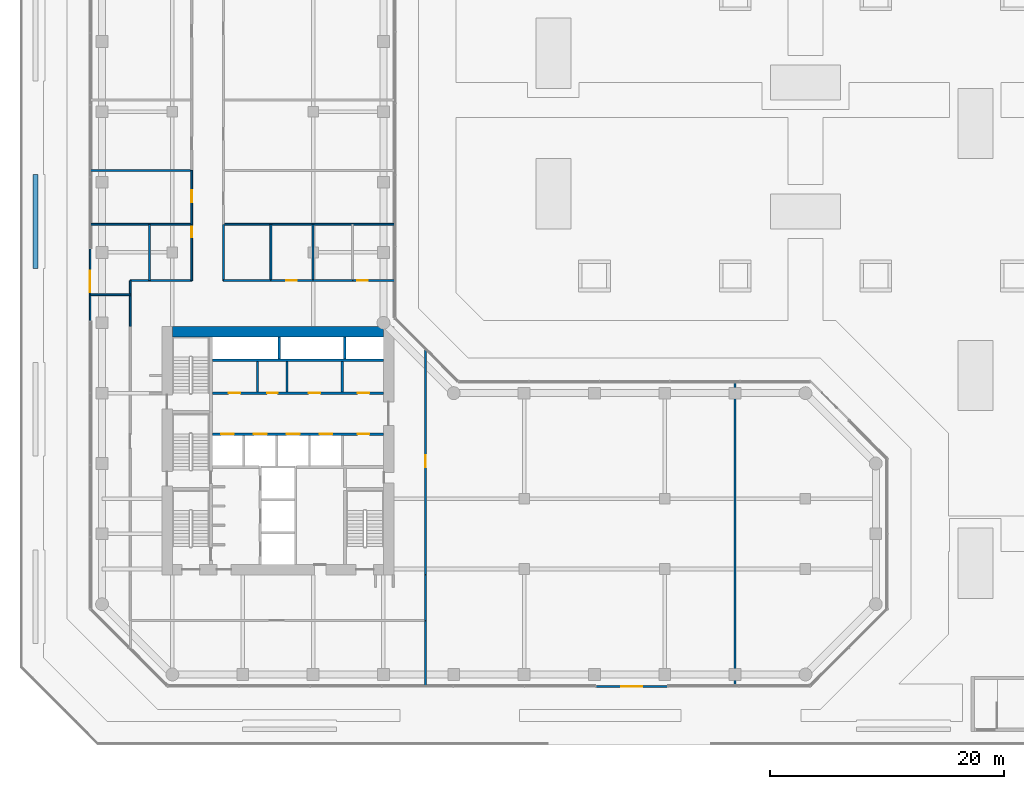
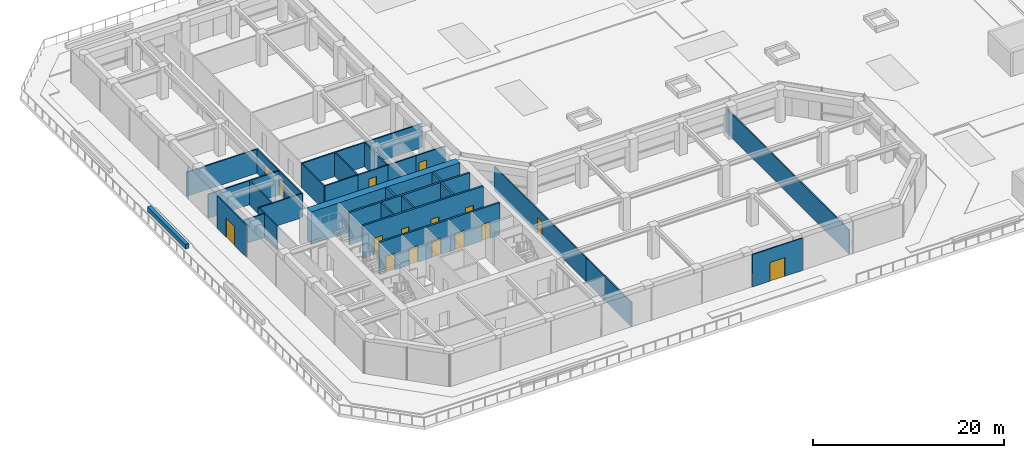
# One storey, part 25 of 31: 32 walls, 16 doors, 16 openings.
"""IFC4 building model written with IfcOpenShell, lengths in metres."""

import ifcopenshell
import ifcopenshell.guid

model = None  # the IFC model being written
_history = None  # IfcOwnerHistory: only IFC2X3 demands one
_inside = {}  # id of a spatial element -> (the spatial element, [elements in it])
_under = {}  # id of a project, library or spatial element -> (it, [spatial elements below it])
_declared = {}  # id of a project -> (the project, [libraries it declares])
_typed = {}  # id of a type object -> (the type object, [elements of that type])
_made_of = {}  # id of a material, layer set ... -> (it, [elements and type objects made of it])


def new_model(schema):
    """Start an empty IFC model of exactly this schema.

    Asked for "IFC4X3", IfcOpenShell would pick the latest addendum, in which some entities
    have other attributes; the version numbers below select the first issue.
    IFC2X3 requires an IfcOwnerHistory on every rooted entity: one is made here for all.
    """
    global model, _history
    if schema == "IFC4X3":
        model = ifcopenshell.file(schema_version=(4, 3, 0, 0))
    else:
        model = ifcopenshell.file(schema=schema)
    _inside.clear()
    _under.clear()
    _declared.clear()
    _typed.clear()
    _made_of.clear()
    _history = None
    if model.schema == "IFC2X3":
        org = make("IfcOrganization", Name="unknown")
        user = make(
            "IfcPersonAndOrganization",
            ThePerson=make("IfcPerson", FamilyName="unknown"),
            TheOrganization=org,
        )
        app = make(
            "IfcApplication",
            ApplicationDeveloper=org,
            Version="unknown",
            ApplicationFullName="unknown",
            ApplicationIdentifier="unknown",
        )
        _history = make(
            "IfcOwnerHistory",
            OwningUser=user,
            OwningApplication=app,
            ChangeAction="ADDED",
            CreationDate=0,
        )
    return model


def make(cls, **values):
    """One entity of the class cls with the attributes given. An attribute that is None is left unset."""
    return model.create_entity(
        cls, **{name: value for name, value in values.items() if value is not None}
    )


def rooted(cls, **values):
    """An entity with a GlobalId (a new one), such as an element, a storey or a relation."""
    return make(cls, GlobalId=ifcopenshell.guid.new(), OwnerHistory=_history, **values)


def si_unit(unit_type, name, prefix=None):
    """IfcSIUnit, for example si_unit("LENGTHUNIT", "METRE", prefix="MILLI")."""
    return make("IfcSIUnit", UnitType=unit_type, Prefix=prefix, Name=name)


def assignment(units):
    """IfcUnitAssignment: the units of a project."""
    return None if units is None else make("IfcUnitAssignment", Units=units)


def point(xyz):
    """IfcCartesianPoint."""
    return None if xyz is None else make("IfcCartesianPoint", Coordinates=xyz)


def direction(xyz):
    """IfcDirection."""
    return None if xyz is None else make("IfcDirection", DirectionRatios=xyz)


def frame(location, z_axis=None, x_axis=None):
    """IfcAxis2Placement3D, a coordinate frame: its origin and axes. An axis left out is left unset."""
    return make(
        "IfcAxis2Placement3D",
        Location=point(location),
        Axis=direction(z_axis),
        RefDirection=direction(x_axis),
    )


def frame_2d(location, x_axis=None):
    """IfcAxis2Placement2D, a coordinate frame in the plane: its origin and x axis."""
    return make(
        "IfcAxis2Placement2D", Location=point(location), RefDirection=direction(x_axis)
    )


def origin():
    """The frame at (0, 0, 0) with its axes left unset."""
    return frame((0.0, 0.0, 0.0))


def place(relative_to, where):
    """IfcLocalPlacement: puts the frame where relative to a parent placement (None: the world)."""
    return make(
        "IfcLocalPlacement", PlacementRelTo=relative_to, RelativePlacement=where
    )


def context(
    kind, dimensions, precision=None, world=None, true_north=None, identifier=None
):
    """IfcGeometricRepresentationContext, for example the 3D "Model" context."""
    return make(
        "IfcGeometricRepresentationContext",
        ContextIdentifier=identifier,
        ContextType=kind,
        CoordinateSpaceDimension=dimensions,
        Precision=precision,
        WorldCoordinateSystem=world,
        TrueNorth=true_north,
    )


def subcontext(parent, identifier, kind, view, scale=None):
    """IfcGeometricRepresentationSubContext, for example "Body" below "Model"."""
    return make(
        "IfcGeometricRepresentationSubContext",
        ContextIdentifier=identifier,
        ContextType=kind,
        ParentContext=parent,
        TargetScale=scale,
        TargetView=view,
    )


def project(units=None, contexts=None):
    """IfcProject with its units and contexts."""
    return rooted(
        "IfcProject",
        Name="project",
        RepresentationContexts=contexts,
        UnitsInContext=assignment(units),
    )


def spatial(cls, under=None, at=None, **own):
    """A site, building, storey or space (cls), placed at a placement, below another one or the project."""
    s = rooted(cls, ObjectPlacement=at, **own)
    if under is not None:
        _under.setdefault(under.id(), (under, []))[1].append(s)
    return s


def profile(cls, at=None, kind="AREA", **sizes):
    """A parametric profile (cls). Its sizes go by their IFC names, for example OverallWidth=200.0."""
    return make(cls, ProfileType=kind, Position=at, **sizes)


def rectangle(**sizes):
    """IfcRectangleProfileDef."""
    return profile("IfcRectangleProfileDef", **sizes)


def extrude(swept, where, along, depth):
    """IfcExtrudedAreaSolid: the profile swept, set in the frame where, extruded along a direction by depth."""
    return make(
        "IfcExtrudedAreaSolid",
        SweptArea=swept,
        Position=where,
        ExtrudedDirection=direction(along),
        Depth=depth,
    )


def shape(context_of_items, identifier, shape_type, items):
    """IfcShapeRepresentation: the items that make up one representation, for example the "Body"."""
    return make(
        "IfcShapeRepresentation",
        ContextOfItems=context_of_items,
        RepresentationIdentifier=identifier,
        RepresentationType=shape_type,
        Items=items,
    )


def material(Name=None, Category=None):
    """IfcMaterial."""
    return make("IfcMaterial", Name=Name, Category=Category)


def layer(
    of_material, thickness, ventilated=None, Name=None, Category=None, Priority=None
):
    """IfcMaterialLayer: one layer of a wall or slab, of a material (None: an air gap)."""
    return make(
        "IfcMaterialLayer",
        Material=of_material,
        LayerThickness=thickness,
        IsVentilated=ventilated,
        Name=Name,
        Category=Category,
        Priority=Priority,
    )


def layer_set(layers, Name=None):
    """IfcMaterialLayerSet."""
    return make("IfcMaterialLayerSet", MaterialLayers=layers, LayerSetName=Name)


def made_of(thing, what):
    """Note that an element or type object is made of a material, layer set ...; save() writes the relation."""
    if what is not None:
        _made_of.setdefault(what.id(), (what, []))[1].append(thing)
    return thing


def type_object(cls, material=None, **own):
    """A type object (cls), such as IfcWallType, which elements share."""
    return made_of(rooted(cls, **own), material)


def element(
    cls,
    number,
    at=None,
    inside=None,
    cuts=None,
    type_object=None,
    material=None,
    context=None,
    identifier="Body",
    shape_type=None,
    held_by="IfcProductDefinitionShape",
    body=None,
    shapes=None,
    **own,
):
    """One element of the class cls, such as IfcWall. Its Tag is "e" and its number.

    at: its placement. inside: the storey or other place that contains it. cuts: it is an
    opening in that element (IfcRelVoidsElement). A single representation is given by context,
    identifier, shape_type and body (its items); several are given by shapes. held_by: the class
    of the entity that holds the representations. save() writes the other relations.
    """
    e = rooted(cls, Tag="e%d" % number, ObjectPlacement=at, **own)
    if body is not None:
        shapes = [shape(context, identifier, shape_type, body)]
    if shapes is not None:
        e.Representation = make(held_by, Representations=shapes)
    if inside is not None:
        _inside.setdefault(inside.id(), (inside, []))[1].append(e)
    if cuts is not None:
        rooted(
            "IfcRelVoidsElement", RelatingBuildingElement=cuts, RelatedOpeningElement=e
        )
    if type_object is not None:
        _typed.setdefault(type_object.id(), (type_object, []))[1].append(e)
    return made_of(e, material)


def fill(opening, filler):
    """IfcRelFillsElement: the door or window that sits in an opening."""
    return rooted(
        "IfcRelFillsElement",
        RelatingOpeningElement=opening,
        RelatedBuildingElement=filler,
    )


def aggregate(whole, parts):
    """IfcRelAggregates: a whole, such as a stair, and the parts it consists of."""
    return rooted("IfcRelAggregates", RelatingObject=whole, RelatedObjects=parts)


def save(model, path):
    """Write the relations noted so far, then the file.

    IfcRelAggregates (storeys below a building ...), IfcRelContainedInSpatialStructure (elements
    in a storey), IfcRelDefinesByType, IfcRelAssociatesMaterial and IfcRelDeclares: one each for
    every whole, place, type object, material and project.
    """
    for whole, parts in _under.values():
        aggregate(whole, parts)
    for where, things in _inside.values():
        rooted(
            "IfcRelContainedInSpatialStructure",
            RelatedElements=things,
            RelatingStructure=where,
        )
    for kind, things in _typed.values():
        rooted("IfcRelDefinesByType", RelatedObjects=things, RelatingType=kind)
    for what, things in _made_of.values():
        rooted("IfcRelAssociatesMaterial", RelatedObjects=things, RelatingMaterial=what)
    for by, libraries in _declared.values():
        rooted("IfcRelDeclares", RelatingContext=by, RelatedDefinitions=libraries)
    model.write(path)


model = new_model("IFC4")

# Units and contexts
model_context = context("Model", 3, precision=1e-05, world=origin(), true_north=direction((0.0, 1.0)))
body_context = subcontext(model_context, "Body", "Model", "MODEL_VIEW")
ifc_project = project(units=[si_unit("LENGTHUNIT", "METRE"), si_unit("AREAUNIT", "SQUARE_METRE"), si_unit("VOLUMEUNIT", "CUBIC_METRE"), si_unit("PLANEANGLEUNIT", "RADIAN"), si_unit("MASSUNIT", "GRAM", prefix="KILO")], contexts=[model_context])

# Site, building, storey
site_placement = place(None, origin())
site = spatial("IfcSite", under=ifc_project, at=site_placement, CompositionType="ELEMENT")
building_placement = place(site_placement, origin())
building = spatial("IfcBuilding", under=site, at=building_placement, Name="Welwitschia Terrace Campus", CompositionType="ELEMENT")
storey_placement = place(building_placement, frame((0.0, 0.0, 11.0)))
storey = spatial("IfcBuildingStorey", under=building, at=storey_placement, Name="L02", CompositionType="ELEMENT", Elevation=11.0)

# Wall, opening, door
ifc_material_1 = material(Name="Concrete C40/50", Category="concrete")
ifc_layer_1 = layer(ifc_material_1, 0.139892578125)
ifc_layer_set_1 = layer_set([ifc_layer_1], Name="Concrete C40/50")
wall_type_1 = type_object("IfcWallType", Name="Clad wall 140", PredefinedType="SOLIDWALL", material=ifc_layer_set_1)
wall_1_placement = place(storey_placement, frame((42.140869140625, -5.02001953125, 0.0), z_axis=(0.0, 0.0, 1.0), x_axis=(1.0, 0.0, 0.0)))
wall_1 = element("IfcWall", 1, at=wall_1_placement, inside=storey, type_object=wall_type_1, Name="Clad wall L02.deck door S", PredefinedType="SOLIDWALL", context=body_context, shape_type="SweptSolid", body=[
    extrude(rectangle(XDim=6.09375, YDim=0.139892578125, at=frame_2d((3.046875, 0.0))), origin(), (0.0, 0.0, 1.0), 4.14990234375),
])
opening_1_placement = place(wall_1_placement, frame((2.14697265625, 0.0, 0.0)))
opening_1 = element("IfcOpeningElement", 2, at=opening_1_placement, cuts=wall_1, Name="Opening DE3", PredefinedType="OPENING", context=body_context, shape_type="SweptSolid", body=[
    extrude(rectangle(XDim=1.800048828125, YDim=2.39990234375, at=frame_2d((0.89990234375, 1.199951171875))), frame((0.0, 0.079833984375, 0.0), z_axis=(0.0, -1.0, 0.0), x_axis=(1.0, 0.0, 0.0)), (0.0, 0.0, 1.0), 0.159912109375),
])
ifc_material_2 = material(Name="Bronze anodised aluminium and glass", Category="aluminium")
door_type_1 = type_object("IfcDoorType", Name="Terrace door 1800x2400", OperationType="DOUBLE_DOOR_DOUBLE_SWING", PredefinedType="DOOR", material=ifc_material_2)
door_1_placement = place(opening_1_placement, origin())
door_1 = element("IfcDoor", 3, at=door_1_placement, inside=storey, type_object=door_type_1, Name="Door L02:S", OperationType="DOUBLE_DOOR_DOUBLE_SWING", OverallHeight=2.39990234375, OverallWidth=1.800048828125, PredefinedType="DOOR", context=body_context, shape_type="SweptSolid", body=[
    extrude(rectangle(XDim=1.800048828125, YDim=2.39990234375, at=frame_2d((0.89990234375, 1.199951171875))), frame((0.0, 0.02490234375, 0.0), z_axis=(0.0, -1.0, 0.0), x_axis=(1.0, 0.0, 0.0)), (0.0, 0.0, 1.0), 0.050048828125),
])
fill(opening_1, door_1)

wall_2_placement = place(storey_placement, frame((-1.02001953125, 32.298828125, 0.0), z_axis=(0.0, 0.0, 1.0), x_axis=(0.0, -1.0, 0.0)))
wall_2 = element("IfcWall", 4, at=wall_2_placement, inside=storey, type_object=wall_type_1, Name="Clad wall L02.deck door W", PredefinedType="SOLIDWALL", context=body_context, shape_type="SweptSolid", body=[
    extrude(rectangle(XDim=6.144287109375, YDim=0.139892578125, at=frame_2d((3.072265625, 0.0))), origin(), (0.0, 0.0, 1.0), 4.14990234375),
])
opening_2_placement = place(wall_2_placement, frame((1.8720703125, 0.0, 0.0)))
opening_2 = element("IfcOpeningElement", 5, at=opening_2_placement, cuts=wall_2, Name="Opening DE3", PredefinedType="OPENING", context=body_context, shape_type="SweptSolid", body=[
    extrude(rectangle(XDim=1.800048828125, YDim=2.39990234375, at=frame_2d((0.89990234375, 1.199951171875))), frame((0.0, 0.079833984375, 0.0), z_axis=(0.0, -1.0, 0.0), x_axis=(1.0, 0.0, 0.0)), (0.0, 0.0, 1.0), 0.159912109375),
])
door_2_placement = place(opening_2_placement, origin())
door_2 = element("IfcDoor", 6, at=door_2_placement, inside=storey, type_object=door_type_1, Name="Door L02:W", OperationType="DOUBLE_DOOR_DOUBLE_SWING", OverallHeight=2.39990234375, OverallWidth=1.800048828125, PredefinedType="DOOR", context=body_context, shape_type="SweptSolid", body=[
    extrude(rectangle(XDim=1.800048828125, YDim=2.39990234375, at=frame_2d((0.89990234375, 1.199951171875))), frame((0.0, 0.02490234375, 0.0), z_axis=(0.0, -1.0, 0.0), x_axis=(1.0, 0.0, 0.0)), (0.0, 0.0, 1.0), 0.050048828125),
])
fill(opening_2, door_2)

# Walls
ifc_material_3 = material(Name="Concrete C32/40", Category="concrete")
ifc_layer_2 = layer(ifc_material_3, 0.175048828125)
ifc_layer_set_2 = layer_set([ifc_layer_2], Name="Concrete C32/40")
wall_type_2 = type_object("IfcWallType", Name="Core partition 175 Concrete C32/40", PredefinedType="PARTITIONING", material=ifc_layer_set_2)
for number, where, z_axis, x_axis, name in (
    (7, (13.27490234375, 20.10009765625, 0.0), (0.0, 0.0, 1.0), (0.0, 1.0, 0.0), "Core partition"),
    (8, (15.77490234375, 20.10009765625, 0.0), (0.0, 0.0, 1.0), (0.0, 1.0, 0.0), "Core partition"),
):
    element("IfcWall", number, at=place(storey_placement, frame(where, z_axis=z_axis, x_axis=x_axis)), inside=storey, type_object=wall_type_2, Name=name, PredefinedType="PARTITIONING", context=body_context, shape_type="SweptSolid", body=[
        extrude(rectangle(XDim=2.599853515625, YDim=0.175048828125, at=frame_2d((1.2998046875, 0.0))), origin(), (0.0, 0.0, 1.0), 4.14990234375),
    ])

# Wall, openings, doors
ifc_material_4 = material(Name="Concrete C32/40", Category="concrete")
ifc_layer_3 = layer(ifc_material_4, 0.22509765625)
ifc_layer_set_3 = layer_set([ifc_layer_3], Name="Concrete C32/40")
wall_type_3 = type_object("IfcWallType", Name="Core partition 225 Concrete C32/40", PredefinedType="PARTITIONING", material=ifc_layer_set_3)
wall_3_placement = place(storey_placement, frame((9.39990234375, 16.5, 0.0), z_axis=(0.0, 0.0, 1.0), x_axis=(1.0, 0.0, 0.0)))
wall_3 = element("IfcWall", 9, at=wall_3_placement, inside=storey, type_object=wall_type_3, Name="Shaft wall", PredefinedType="PARTITIONING", context=body_context, shape_type="SweptSolid", body=[
    extrude(rectangle(XDim=14.60009765625, YDim=0.22509765625, at=frame_2d((7.300048828125, 0.0))), origin(), (0.0, 0.0, 1.0), 4.14990234375),
])
opening_3_placement = place(wall_3_placement, frame((0.75, 0.0, 0.0)))
opening_3 = element("IfcOpeningElement", 10, at=opening_3_placement, cuts=wall_3, Name="Opening LD", PredefinedType="OPENING", context=body_context, shape_type="SweptSolid", body=[
    extrude(rectangle(XDim=1.10009765625, YDim=2.10009765625, at=frame_2d((0.550048828125, 1.050048828125))), frame((0.0, 0.12255859375, 0.0), z_axis=(0.0, -1.0, 0.0), x_axis=(1.0, 0.0, 0.0)), (0.0, 0.0, 1.0), 0.2451171875),
])
opening_4_placement = place(wall_3_placement, frame((3.550048828125, 0.0, 0.0)))
opening_4 = element("IfcOpeningElement", 11, at=opening_4_placement, cuts=wall_3, Name="Opening LD", PredefinedType="OPENING", context=body_context, shape_type="SweptSolid", body=[
    extrude(rectangle(XDim=1.10009765625, YDim=2.10009765625, at=frame_2d((0.550048828125, 1.050048828125))), frame((0.0, 0.12255859375, 0.0), z_axis=(0.0, -1.0, 0.0), x_axis=(1.0, 0.0, 0.0)), (0.0, 0.0, 1.0), 0.2451171875),
])
opening_5_placement = place(wall_3_placement, frame((6.35009765625, 0.0, 0.0)))
opening_5 = element("IfcOpeningElement", 12, at=opening_5_placement, cuts=wall_3, Name="Opening LD", PredefinedType="OPENING", context=body_context, shape_type="SweptSolid", body=[
    extrude(rectangle(XDim=1.10009765625, YDim=2.10009765625, at=frame_2d((0.550048828125, 1.050048828125))), frame((0.0, 0.12255859375, 0.0), z_axis=(0.0, -1.0, 0.0), x_axis=(1.0, 0.0, 0.0)), (0.0, 0.0, 1.0), 0.2451171875),
])
opening_6_placement = place(wall_3_placement, frame((9.14990234375, 0.0, 0.0)))
opening_6 = element("IfcOpeningElement", 13, at=opening_6_placement, cuts=wall_3, Name="Opening LD", PredefinedType="OPENING", context=body_context, shape_type="SweptSolid", body=[
    extrude(rectangle(XDim=1.10009765625, YDim=2.10009765625, at=frame_2d((0.550048828125, 1.050048828125))), frame((0.0, 0.12255859375, 0.0), z_axis=(0.0, -1.0, 0.0), x_axis=(1.0, 0.0, 0.0)), (0.0, 0.0, 1.0), 0.2451171875),
])
opening_7_placement = place(wall_3_placement, frame((12.39990234375, 0.0, 0.0)))
opening_7 = element("IfcOpeningElement", 14, at=opening_7_placement, cuts=wall_3, Name="Opening DR10", PredefinedType="OPENING", context=body_context, shape_type="SweptSolid", body=[
    extrude(rectangle(XDim=1.0, YDim=2.10009765625, at=frame_2d((0.5, 1.050048828125))), frame((0.0, 0.12255859375, 0.0), z_axis=(0.0, -1.0, 0.0), x_axis=(1.0, 0.0, 0.0)), (0.0, 0.0, 1.0), 0.2451171875),
])
ifc_material_5 = material(Name="Steel S275", Category="steel")
door_type_2 = type_object("IfcDoorType", Name="Core door DR10", OperationType="SINGLE_SWING_LEFT", PredefinedType="DOOR", material=ifc_material_5)
door_3_placement = place(opening_7_placement, origin())
door_3 = element("IfcDoor", 15, at=door_3_placement, inside=storey, type_object=door_type_2, Name="Door EL-D", OperationType="SINGLE_SWING_RIGHT", OverallHeight=2.10009765625, OverallWidth=1.0, PredefinedType="DOOR", context=body_context, shape_type="SweptSolid", body=[
    extrude(rectangle(XDim=1.0, YDim=2.10009765625, at=frame_2d((0.5, 1.050048828125))), frame((0.0, 0.02490234375, 0.0), z_axis=(0.0, -1.0, 0.0), x_axis=(1.0, 0.0, 0.0)), (0.0, 0.0, 1.0), 0.050048828125),
])
fill(opening_7, door_3)
ifc_material_6 = material(Name="Stainless steel 304", Category="steel")
door_type_3 = type_object("IfcDoorType", Name="Lift landing door", OperationType="DOUBLE_DOOR_SLIDING", PredefinedType="DOOR", material=ifc_material_6)
door_4_placement = place(opening_3_placement, origin())
door_4 = element("IfcDoor", 16, at=door_4_placement, inside=storey, type_object=door_type_3, Name="Landing door LR1", OperationType="DOUBLE_DOOR_SLIDING", OverallHeight=2.10009765625, OverallWidth=1.10009765625, PredefinedType="DOOR", context=body_context, shape_type="SweptSolid", body=[
    extrude(rectangle(XDim=1.10009765625, YDim=2.10009765625, at=frame_2d((0.550048828125, 1.050048828125))), frame((0.0, 0.02490234375, 0.0), z_axis=(0.0, -1.0, 0.0), x_axis=(1.0, 0.0, 0.0)), (0.0, 0.0, 1.0), 0.050048828125),
])
fill(opening_3, door_4)
door_5_placement = place(opening_4_placement, origin())
door_5 = element("IfcDoor", 17, at=door_5_placement, inside=storey, type_object=door_type_3, Name="Landing door LR2", OperationType="DOUBLE_DOOR_SLIDING", OverallHeight=2.10009765625, OverallWidth=1.10009765625, PredefinedType="DOOR", context=body_context, shape_type="SweptSolid", body=[
    extrude(rectangle(XDim=1.10009765625, YDim=2.10009765625, at=frame_2d((0.550048828125, 1.050048828125))), frame((0.0, 0.02490234375, 0.0), z_axis=(0.0, -1.0, 0.0), x_axis=(1.0, 0.0, 0.0)), (0.0, 0.0, 1.0), 0.050048828125),
])
fill(opening_4, door_5)
door_6_placement = place(opening_5_placement, origin())
door_6 = element("IfcDoor", 18, at=door_6_placement, inside=storey, type_object=door_type_3, Name="Landing door LR3", OperationType="DOUBLE_DOOR_SLIDING", OverallHeight=2.10009765625, OverallWidth=1.10009765625, PredefinedType="DOOR", context=body_context, shape_type="SweptSolid", body=[
    extrude(rectangle(XDim=1.10009765625, YDim=2.10009765625, at=frame_2d((0.550048828125, 1.050048828125))), frame((0.0, 0.02490234375, 0.0), z_axis=(0.0, -1.0, 0.0), x_axis=(1.0, 0.0, 0.0)), (0.0, 0.0, 1.0), 0.050048828125),
])
fill(opening_5, door_6)
door_7_placement = place(opening_6_placement, origin())
door_7 = element("IfcDoor", 19, at=door_7_placement, inside=storey, type_object=door_type_3, Name="Landing door LR4", OperationType="DOUBLE_DOOR_SLIDING", OverallHeight=2.10009765625, OverallWidth=1.10009765625, PredefinedType="DOOR", context=body_context, shape_type="SweptSolid", body=[
    extrude(rectangle(XDim=1.10009765625, YDim=2.10009765625, at=frame_2d((0.550048828125, 1.050048828125))), frame((0.0, 0.02490234375, 0.0), z_axis=(0.0, -1.0, 0.0), x_axis=(1.0, 0.0, 0.0)), (0.0, 0.0, 1.0), 0.050048828125),
])
fill(opening_6, door_7)

wall_4_placement = place(storey_placement, frame((24.0, 20.0, 0.0), z_axis=(0.0, 0.0, 1.0), x_axis=(-1.0, 0.0, 0.0)))
wall_4 = element("IfcWall", 20, at=wall_4_placement, inside=storey, type_object=wall_type_3, Name="Core partition", PredefinedType="PARTITIONING", context=body_context, shape_type="SweptSolid", body=[
    extrude(rectangle(XDim=14.60009765625, YDim=0.22509765625, at=frame_2d((7.300048828125, 0.0))), origin(), (0.0, 0.0, 1.0), 4.14990234375),
])
opening_8_placement = place(wall_4_placement, frame((12.199951171875, 0.0, 0.0)))
opening_8 = element("IfcOpeningElement", 21, at=opening_8_placement, cuts=wall_4, Name="Opening DR10", PredefinedType="OPENING", context=body_context, shape_type="SweptSolid", body=[
    extrude(rectangle(XDim=1.0, YDim=2.10009765625, at=frame_2d((0.5, 1.050048828125))), frame((0.0, 0.12255859375, 0.0), z_axis=(0.0, -1.0, 0.0), x_axis=(1.0, 0.0, 0.0)), (0.0, 0.0, 1.0), 0.2451171875),
])
opening_9_placement = place(wall_4_placement, frame((9.02490234375, 0.0, 0.0)))
opening_9 = element("IfcOpeningElement", 22, at=opening_9_placement, cuts=wall_4, Name="Opening DR09", PredefinedType="OPENING", context=body_context, shape_type="SweptSolid", body=[
    extrude(rectangle(XDim=0.89990234375, YDim=2.10009765625, at=frame_2d((0.449951171875, 1.050048828125))), frame((0.0, 0.12255859375, 0.0), z_axis=(0.0, -1.0, 0.0), x_axis=(1.0, 0.0, 0.0)), (0.0, 0.0, 1.0), 0.2451171875),
])
opening_10_placement = place(wall_4_placement, frame((5.375, 0.0, 0.0)))
opening_10 = element("IfcOpeningElement", 23, at=opening_10_placement, cuts=wall_4, Name="Opening DR10", PredefinedType="OPENING", context=body_context, shape_type="SweptSolid", body=[
    extrude(rectangle(XDim=1.0, YDim=2.10009765625, at=frame_2d((0.5, 1.050048828125))), frame((0.0, 0.12255859375, 0.0), z_axis=(0.0, -1.0, 0.0), x_axis=(1.0, 0.0, 0.0)), (0.0, 0.0, 1.0), 0.2451171875),
])
opening_11_placement = place(wall_4_placement, frame((1.199951171875, 0.0, 0.0)))
opening_11 = element("IfcOpeningElement", 24, at=opening_11_placement, cuts=wall_4, Name="Opening DR10", PredefinedType="OPENING", context=body_context, shape_type="SweptSolid", body=[
    extrude(rectangle(XDim=1.0, YDim=2.10009765625, at=frame_2d((0.5, 1.050048828125))), frame((0.0, 0.12255859375, 0.0), z_axis=(0.0, -1.0, 0.0), x_axis=(1.0, 0.0, 0.0)), (0.0, 0.0, 1.0), 0.2451171875),
])
ifc_material_7 = material(Name="Steel S275", Category="steel")
door_type_4 = type_object("IfcDoorType", Name="Core door DR09", OperationType="SINGLE_SWING_LEFT", PredefinedType="DOOR", material=ifc_material_7)
door_8_placement = place(opening_9_placement, origin())
door_8 = element("IfcDoor", 25, at=door_8_placement, inside=storey, type_object=door_type_4, Name="Door BAYH2-D", OperationType="SINGLE_SWING_RIGHT", OverallHeight=2.10009765625, OverallWidth=0.89990234375, PredefinedType="DOOR", context=body_context, shape_type="SweptSolid", body=[
    extrude(rectangle(XDim=0.89990234375, YDim=2.10009765625, at=frame_2d((0.449951171875, 1.050048828125))), frame((0.0, 0.02490234375, 0.0), z_axis=(0.0, -1.0, 0.0), x_axis=(1.0, 0.0, 0.0)), (0.0, 0.0, 1.0), 0.050048828125),
])
fill(opening_9, door_8)
door_9_placement = place(opening_8_placement, origin())
door_9 = element("IfcDoor", 26, at=door_9_placement, inside=storey, type_object=door_type_2, Name="Door BAYH1-D", OperationType="SINGLE_SWING_RIGHT", OverallHeight=2.10009765625, OverallWidth=1.0, PredefinedType="DOOR", context=body_context, shape_type="SweptSolid", body=[
    extrude(rectangle(XDim=1.0, YDim=2.10009765625, at=frame_2d((0.5, 1.050048828125))), frame((0.0, 0.02490234375, 0.0), z_axis=(0.0, -1.0, 0.0), x_axis=(1.0, 0.0, 0.0)), (0.0, 0.0, 1.0), 0.050048828125),
])
fill(opening_8, door_9)
door_10_placement = place(opening_10_placement, origin())
door_10 = element("IfcDoor", 27, at=door_10_placement, inside=storey, type_object=door_type_2, Name="Door BAYH3-D", OperationType="SINGLE_SWING_LEFT", OverallHeight=2.10009765625, OverallWidth=1.0, PredefinedType="DOOR", context=body_context, shape_type="SweptSolid", body=[
    extrude(rectangle(XDim=1.0, YDim=2.10009765625, at=frame_2d((0.5, 1.050048828125))), frame((0.0, 0.02490234375, 0.0), z_axis=(0.0, -1.0, 0.0), x_axis=(1.0, 0.0, 0.0)), (0.0, 0.0, 1.0), 0.050048828125),
])
fill(opening_10, door_10)
door_11_placement = place(opening_11_placement, origin())
door_11 = element("IfcDoor", 28, at=door_11_placement, inside=storey, type_object=door_type_2, Name="Door EH-D", OperationType="SINGLE_SWING_LEFT", OverallHeight=2.10009765625, OverallWidth=1.0, PredefinedType="DOOR", context=body_context, shape_type="SweptSolid", body=[
    extrude(rectangle(XDim=1.0, YDim=2.10009765625, at=frame_2d((0.5, 1.050048828125))), frame((0.0, 0.02490234375, 0.0), z_axis=(0.0, -1.0, 0.0), x_axis=(1.0, 0.0, 0.0)), (0.0, 0.0, 1.0), 0.050048828125),
])
fill(opening_11, door_11)

# Walls
wall_5_placement = place(storey_placement, frame((9.39990234375, 22.800048828125, 0.0), z_axis=(0.0, 0.0, 1.0), x_axis=(1.0, 0.0, 0.0)))
element("IfcWall", 29, at=wall_5_placement, inside=storey, type_object=wall_type_3, Name="Shaft wall", PredefinedType="PARTITIONING", context=body_context, shape_type="SweptSolid", body=[
    extrude(rectangle(XDim=14.60009765625, YDim=0.22509765625, at=frame_2d((7.300048828125, 0.0))), origin(), (0.0, 0.0, 1.0), 4.14990234375),
])
wall_6_placement = place(storey_placement, frame((20.5, 20.10009765625, 0.0), z_axis=(0.0, 0.0, 1.0), x_axis=(0.0, 1.0, 0.0)))
element("IfcWall", 30, at=wall_6_placement, inside=storey, type_object=wall_type_3, Name="Core partition", PredefinedType="PARTITIONING", context=body_context, shape_type="SweptSolid", body=[
    extrude(rectangle(XDim=2.599853515625, YDim=0.22509765625, at=frame_2d((1.2998046875, 0.0))), origin(), (0.0, 0.0, 1.0), 4.14990234375),
])
ifc_material_8 = material(Name="Concrete C50/60", Category="concrete")
ifc_layer_4 = layer(ifc_material_8, 0.199951171875)
ifc_layer_set_4 = layer_set([ifc_layer_4], Name="Concrete C50/60")
wall_type_4 = type_object("IfcWallType", Name="Core wall 200 Concrete C50/60", PredefinedType="SHEAR", material=ifc_layer_set_4)
for number, where, z_axis, x_axis, name in (
    (31, (15.10009765625, 22.89990234375, 0.0), (0.0, 0.0, 1.0), (0.0, 1.0, 0.0), "Core wall"),
    (32, (20.699951171875, 22.89990234375, 0.0), (0.0, 0.0, 1.0), (0.0, 1.0, 0.0), "Core wall"),
):
    element("IfcWall", number, at=place(storey_placement, frame(where, z_axis=z_axis, x_axis=x_axis)), inside=storey, type_object=wall_type_4, Name=name, PredefinedType="SHEAR", context=body_context, shape_type="SweptSolid", body=[
        extrude(rectangle(XDim=1.900146484375, YDim=0.199951171875, at=frame_2d((0.9501953125, 0.0))), origin(), (0.0, 0.0, 1.0), 4.14990234375),
    ])
ifc_material_9 = material(Name="Concrete C70/85", Category="concrete")
ifc_layer_5 = layer(ifc_material_9, 0.89990234375)
ifc_layer_set_5 = layer_set([ifc_layer_5], Name="Concrete C70/85")
wall_type_5 = type_object("IfcWallType", Name="Core wall 900 Concrete C70/85", PredefinedType="SHEAR", material=ifc_layer_set_5)
wall_7_placement = place(storey_placement, frame((6.0, 25.25, 0.0), z_axis=(0.0, 0.0, 1.0), x_axis=(1.0, 0.0, 0.0)))
element("IfcWall", 33, at=wall_7_placement, inside=storey, type_object=wall_type_5, Name="Core outer wall", PredefinedType="SHEAR", context=body_context, shape_type="SweptSolid", body=[
    extrude(rectangle(XDim=18.0, YDim=0.89990234375, at=frame_2d((9.0, 0.0))), origin(), (0.0, 0.0, 1.0), 4.14990234375),
])
ifc_material_10 = material(Name="Gypsum board on steel studs", Category="steel")
ifc_layer_6 = layer(ifc_material_10, 0.14990234375)
ifc_layer_set_6 = layer_set([ifc_layer_6], Name="Gypsum board on steel studs")
wall_type_6 = type_object("IfcWallType", Name="Corridor partition 150 EI 30", PredefinedType="PARTITIONING", material=ifc_layer_set_6)
wall_8_placement = place(storey_placement, frame((-0.969970703125, 28.39990234375, 0.0), z_axis=(0.0, 0.0, 1.0), x_axis=(1.0, 0.0, 0.0)))
element("IfcWall", 34, at=wall_8_placement, inside=storey, type_object=wall_type_6, Name="Partition", PredefinedType="PARTITIONING", context=body_context, shape_type="SweptSolid", body=[
    extrude(rectangle(XDim=3.369873046875, YDim=0.14990234375, at=frame_2d((1.68505859375, 0.0))), origin(), (0.0, 0.0, 1.0), 3.080078125),
])
for number, where, z_axis, x_axis, name in (
    (35, (-0.969970703125, 34.39990234375, 0.0), (0.0, 0.0, 1.0), (1.0, 0.0, 0.0), "Partition"),
    (36, (-0.969970703125, 39.0, 0.0), (0.0, 0.0, 1.0), (1.0, 0.0, 0.0), "Partition"),
):
    element("IfcWall", number, at=place(storey_placement, frame(where, z_axis=z_axis, x_axis=x_axis)), inside=storey, type_object=wall_type_6, Name=name, PredefinedType="PARTITIONING", context=body_context, shape_type="SweptSolid", body=[
        extrude(rectangle(XDim=8.619873046875, YDim=0.14990234375, at=frame_2d((4.31005859375, 0.0))), origin(), (0.0, 0.0, 1.0), 3.080078125),
    ])
wall_9_placement = place(storey_placement, frame((2.39990234375, 25.699951171875, 0.0), z_axis=(0.0, 0.0, 1.0), x_axis=(0.0, 1.0, 0.0)))
element("IfcWall", 37, at=wall_9_placement, inside=storey, type_object=wall_type_6, Name="Partition", PredefinedType="PARTITIONING", context=body_context, shape_type="SweptSolid", body=[
    extrude(rectangle(XDim=3.900146484375, YDim=0.14990234375, at=frame_2d((1.9501953125, 0.0))), origin(), (0.0, 0.0, 1.0), 3.080078125),
])
wall_10_placement = place(storey_placement, frame((2.39990234375, 29.60009765625, 0.0), z_axis=(0.0, 0.0, 1.0), x_axis=(1.0, 0.0, 0.0)))
element("IfcWall", 38, at=wall_10_placement, inside=storey, type_object=wall_type_6, Name="Partition", PredefinedType="PARTITIONING", context=body_context, shape_type="SweptSolid", body=[
    extrude(rectangle(XDim=5.25, YDim=0.14990234375, at=frame_2d((2.625, 0.0))), origin(), (0.0, 0.0, 1.0), 3.080078125),
])
wall_11_placement = place(storey_placement, frame((4.050048828125, 29.60009765625, 0.0), z_axis=(0.0, 0.0, 1.0), x_axis=(0.0, 1.0, 0.0)))
element("IfcWall", 39, at=wall_11_placement, inside=storey, type_object=wall_type_6, Name="Partition", PredefinedType="PARTITIONING", context=body_context, shape_type="SweptSolid", body=[
    extrude(rectangle(XDim=4.7998046875, YDim=0.14990234375, at=frame_2d((2.39990234375, 0.0))), origin(), (0.0, 0.0, 1.0), 3.080078125),
])

# Wall, opening, door
wall_12_placement = place(storey_placement, frame((7.64990234375, 29.60009765625, 0.0), z_axis=(0.0, 0.0, 1.0), x_axis=(0.0, 1.0, 0.0)))
wall_12 = element("IfcWall", 40, at=wall_12_placement, inside=storey, type_object=wall_type_6, Name="Partition", PredefinedType="PARTITIONING", context=body_context, shape_type="SweptSolid", body=[
    extrude(rectangle(XDim=4.7998046875, YDim=0.14990234375, at=frame_2d((2.39990234375, 0.0))), origin(), (0.0, 0.0, 1.0), 3.080078125),
])
opening_12_placement = place(wall_12_placement, frame((3.699951171875, 0.0, 0.0)))
opening_12 = element("IfcOpeningElement", 41, at=opening_12_placement, cuts=wall_12, Name="Opening DI09", PredefinedType="OPENING", context=body_context, shape_type="SweptSolid", body=[
    extrude(rectangle(XDim=0.89990234375, YDim=2.10009765625, at=frame_2d((0.449951171875, 1.050048828125))), frame((0.0, 0.0849609375, 0.0), z_axis=(0.0, -1.0, 0.0), x_axis=(1.0, 0.0, 0.0)), (0.0, 0.0, 1.0), 0.169921875),
])
ifc_material_11 = material(Name="Timber veneered door", Category="wood")
door_type_5 = type_object("IfcDoorType", Name="Interior door DI09", OperationType="NOTDEFINED", PredefinedType="DOOR", material=ifc_material_11)
door_12_placement = place(opening_12_placement, origin())
door_12 = element("IfcDoor", 42, at=door_12_placement, inside=storey, type_object=door_type_5, Name="Door L02 096", OperationType="SINGLE_SWING_LEFT", OverallHeight=2.10009765625, OverallWidth=0.89990234375, PredefinedType="DOOR", context=body_context, shape_type="SweptSolid", body=[
    extrude(rectangle(XDim=0.89990234375, YDim=2.10009765625, at=frame_2d((0.449951171875, 1.050048828125))), frame((0.0, 0.02490234375, 0.0), z_axis=(0.0, -1.0, 0.0), x_axis=(1.0, 0.0, 0.0)), (0.0, 0.0, 1.0), 0.050048828125),
])
fill(opening_12, door_12)

wall_13_placement = place(storey_placement, frame((7.64990234375, 34.39990234375, 0.0), z_axis=(0.0, 0.0, 1.0), x_axis=(0.0, 1.0, 0.0)))
wall_13 = element("IfcWall", 43, at=wall_13_placement, inside=storey, type_object=wall_type_6, Name="Partition", PredefinedType="PARTITIONING", context=body_context, shape_type="SweptSolid", body=[
    extrude(rectangle(XDim=4.60009765625, YDim=0.14990234375, at=frame_2d((2.300048828125, 0.0))), origin(), (0.0, 0.0, 1.0), 3.080078125),
])
opening_13_placement = place(wall_13_placement, frame((1.89990234375, 0.0, 0.0)))
opening_13 = element("IfcOpeningElement", 44, at=opening_13_placement, cuts=wall_13, Name="Opening DI10", PredefinedType="OPENING", context=body_context, shape_type="SweptSolid", body=[
    extrude(rectangle(XDim=1.0, YDim=2.10009765625, at=frame_2d((0.5, 1.050048828125))), frame((0.0, 0.0849609375, 0.0), z_axis=(0.0, -1.0, 0.0), x_axis=(1.0, 0.0, 0.0)), (0.0, 0.0, 1.0), 0.169921875),
])
ifc_material_12 = material(Name="Timber veneered door", Category="wood")
door_type_6 = type_object("IfcDoorType", Name="Interior door DI10", OperationType="NOTDEFINED", PredefinedType="DOOR", material=ifc_material_12)
door_13_placement = place(opening_13_placement, origin())
door_13 = element("IfcDoor", 45, at=door_13_placement, inside=storey, type_object=door_type_6, Name="Door L02 097", OperationType="SINGLE_SWING_RIGHT", OverallHeight=2.10009765625, OverallWidth=1.0, PredefinedType="DOOR", context=body_context, shape_type="SweptSolid", body=[
    extrude(rectangle(XDim=1.0, YDim=2.10009765625, at=frame_2d((0.5, 1.050048828125))), frame((0.0, 0.02490234375, 0.0), z_axis=(0.0, -1.0, 0.0), x_axis=(1.0, 0.0, 0.0)), (0.0, 0.0, 1.0), 0.050048828125),
])
fill(opening_13, door_13)

# Walls
wall_14_placement = place(storey_placement, frame((10.35009765625, 29.60009765625, 0.0), z_axis=(0.0, 0.0, 1.0), x_axis=(0.0, 1.0, 0.0)))
element("IfcWall", 46, at=wall_14_placement, inside=storey, type_object=wall_type_6, Name="Partition", PredefinedType="PARTITIONING", context=body_context, shape_type="SweptSolid", body=[
    extrude(rectangle(XDim=4.7998046875, YDim=0.14990234375, at=frame_2d((2.39990234375, 0.0))), origin(), (0.0, 0.0, 1.0), 3.080078125),
])
wall_15_placement = place(storey_placement, frame((10.35009765625, 29.60009765625, 0.0), z_axis=(0.0, 0.0, 1.0), x_axis=(1.0, 0.0, 0.0)))
element("IfcWall", 47, at=wall_15_placement, inside=storey, type_object=wall_type_6, Name="Partition", PredefinedType="PARTITIONING", context=body_context, shape_type="SweptSolid", body=[
    extrude(rectangle(XDim=4.0498046875, YDim=0.14990234375, at=frame_2d((2.02490234375, 0.0))), origin(), (0.0, 0.0, 1.0), 3.080078125),
])
wall_16_placement = place(storey_placement, frame((10.35009765625, 34.39990234375, 0.0), z_axis=(0.0, 0.0, 1.0), x_axis=(1.0, 0.0, 0.0)))
element("IfcWall", 48, at=wall_16_placement, inside=storey, type_object=wall_type_6, Name="Partition", PredefinedType="PARTITIONING", context=body_context, shape_type="SweptSolid", body=[
    extrude(rectangle(XDim=14.619873046875, YDim=0.14990234375, at=frame_2d((7.31005859375, 0.0))), origin(), (0.0, 0.0, 1.0), 3.080078125),
])
wall_17_placement = place(storey_placement, frame((14.39990234375, 29.60009765625, 0.0), z_axis=(0.0, 0.0, 1.0), x_axis=(0.0, 1.0, 0.0)))
element("IfcWall", 49, at=wall_17_placement, inside=storey, type_object=wall_type_6, Name="Partition", PredefinedType="PARTITIONING", context=body_context, shape_type="SweptSolid", body=[
    extrude(rectangle(XDim=4.7998046875, YDim=0.14990234375, at=frame_2d((2.39990234375, 0.0))), origin(), (0.0, 0.0, 1.0), 3.080078125),
])

# Wall, opening, door
wall_18_placement = place(storey_placement, frame((14.39990234375, 29.60009765625, 0.0), z_axis=(0.0, 0.0, 1.0), x_axis=(1.0, 0.0, 0.0)))
wall_18 = element("IfcWall", 50, at=wall_18_placement, inside=storey, type_object=wall_type_6, Name="Partition", PredefinedType="PARTITIONING", context=body_context, shape_type="SweptSolid", body=[
    extrude(rectangle(XDim=3.60009765625, YDim=0.14990234375, at=frame_2d((1.800048828125, 0.0))), origin(), (0.0, 0.0, 1.0), 3.080078125),
])
opening_14_placement = place(wall_18_placement, frame((1.300048828125, 0.0, 0.0)))
opening_14 = element("IfcOpeningElement", 51, at=opening_14_placement, cuts=wall_18, Name="Opening DI09", PredefinedType="OPENING", context=body_context, shape_type="SweptSolid", body=[
    extrude(rectangle(XDim=0.89990234375, YDim=2.10009765625, at=frame_2d((0.449951171875, 1.050048828125))), frame((0.0, 0.0849609375, 0.0), z_axis=(0.0, -1.0, 0.0), x_axis=(1.0, 0.0, 0.0)), (0.0, 0.0, 1.0), 0.169921875),
])
door_14_placement = place(opening_14_placement, origin())
door_14 = element("IfcDoor", 52, at=door_14_placement, inside=storey, type_object=door_type_5, Name="Door L02 105", OperationType="SINGLE_SWING_RIGHT", OverallHeight=2.10009765625, OverallWidth=0.89990234375, PredefinedType="DOOR", context=body_context, shape_type="SweptSolid", body=[
    extrude(rectangle(XDim=0.89990234375, YDim=2.10009765625, at=frame_2d((0.449951171875, 1.050048828125))), frame((0.0, 0.02490234375, 0.0), z_axis=(0.0, -1.0, 0.0), x_axis=(1.0, 0.0, 0.0)), (0.0, 0.0, 1.0), 0.050048828125),
])
fill(opening_14, door_14)

# Walls
wall_19_placement = place(storey_placement, frame((18.0, 29.60009765625, 0.0), z_axis=(0.0, 0.0, 1.0), x_axis=(0.0, 1.0, 0.0)))
element("IfcWall", 53, at=wall_19_placement, inside=storey, type_object=wall_type_6, Name="Partition", PredefinedType="PARTITIONING", context=body_context, shape_type="SweptSolid", body=[
    extrude(rectangle(XDim=4.7998046875, YDim=0.14990234375, at=frame_2d((2.39990234375, 0.0))), origin(), (0.0, 0.0, 1.0), 3.080078125),
])
wall_20_placement = place(storey_placement, frame((18.0, 29.60009765625, 0.0), z_axis=(0.0, 0.0, 1.0), x_axis=(1.0, 0.0, 0.0)))
element("IfcWall", 54, at=wall_20_placement, inside=storey, type_object=wall_type_6, Name="Partition", PredefinedType="PARTITIONING", context=body_context, shape_type="SweptSolid", body=[
    extrude(rectangle(XDim=3.3701171875, YDim=0.14990234375, at=frame_2d((1.68505859375, 0.0))), origin(), (0.0, 0.0, 1.0), 3.080078125),
])

# Wall, opening, door
wall_21_placement = place(storey_placement, frame((21.3701171875, 29.60009765625, 0.0), z_axis=(0.0, 0.0, 1.0), x_axis=(1.0, 0.0, 0.0)))
wall_21 = element("IfcWall", 55, at=wall_21_placement, inside=storey, type_object=wall_type_6, Name="Partition", PredefinedType="PARTITIONING", context=body_context, shape_type="SweptSolid", body=[
    extrude(rectangle(XDim=3.599853515625, YDim=0.14990234375, at=frame_2d((1.7998046875, 0.0))), origin(), (0.0, 0.0, 1.0), 3.080078125),
])
opening_15_placement = place(wall_21_placement, frame((0.39990234375, 0.0, 0.0)))
opening_15 = element("IfcOpeningElement", 56, at=opening_15_placement, cuts=wall_21, Name="Opening DI09", PredefinedType="OPENING", context=body_context, shape_type="SweptSolid", body=[
    extrude(rectangle(XDim=0.89990234375, YDim=2.10009765625, at=frame_2d((0.449951171875, 1.050048828125))), frame((0.0, 0.0849609375, 0.0), z_axis=(0.0, -1.0, 0.0), x_axis=(1.0, 0.0, 0.0)), (0.0, 0.0, 1.0), 0.169921875),
])
door_15_placement = place(opening_15_placement, origin())
door_15 = element("IfcDoor", 57, at=door_15_placement, inside=storey, type_object=door_type_5, Name="Door L02 106", OperationType="SINGLE_SWING_LEFT", OverallHeight=2.10009765625, OverallWidth=0.89990234375, PredefinedType="DOOR", context=body_context, shape_type="SweptSolid", body=[
    extrude(rectangle(XDim=0.89990234375, YDim=2.10009765625, at=frame_2d((0.449951171875, 1.050048828125))), frame((0.0, 0.02490234375, 0.0), z_axis=(0.0, -1.0, 0.0), x_axis=(1.0, 0.0, 0.0)), (0.0, 0.0, 1.0), 0.050048828125),
])
fill(opening_15, door_15)

# Walls
wall_22_placement = place(storey_placement, frame((27.60009765625, -4.969970703125, 0.0), z_axis=(0.0, 0.0, 1.0), x_axis=(0.0, 1.0, 0.0)))
element("IfcWall", 58, at=wall_22_placement, inside=storey, type_object=wall_type_6, Name="Partition", PredefinedType="PARTITIONING", context=body_context, shape_type="SweptSolid", body=[
    extrude(rectangle(XDim=5.570068359375, YDim=0.14990234375, at=frame_2d((2.78515625, 0.0))), origin(), (0.0, 0.0, 1.0), 3.080078125),
])
wall_23_placement = place(storey_placement, frame((27.60009765625, 0.60009765625, 0.0), z_axis=(0.0, 0.0, 1.0), x_axis=(0.0, 1.0, 0.0)))
element("IfcWall", 59, at=wall_23_placement, inside=storey, type_object=wall_type_6, Name="Partition", PredefinedType="PARTITIONING", context=body_context, shape_type="SweptSolid", body=[
    extrude(rectangle(XDim=3.89990234375, YDim=0.14990234375, at=frame_2d((1.949951171875, 0.0))), origin(), (0.0, 0.0, 1.0), 3.080078125),
])

# Wall, opening, door
wall_24_placement = place(storey_placement, frame((27.60009765625, 23.77001953125, 0.0), z_axis=(0.0, 0.0, 1.0), x_axis=(0.0, -1.0, 0.0)))
wall_24 = element("IfcWall", 60, at=wall_24_placement, inside=storey, type_object=wall_type_6, Name="Partition", PredefinedType="PARTITIONING", context=body_context, shape_type="SweptSolid", body=[
    extrude(rectangle(XDim=19.27001953125, YDim=0.14990234375, at=frame_2d((9.635009765625, 0.0))), origin(), (0.0, 0.0, 1.0), 3.080078125),
])
opening_16_placement = place(wall_24_placement, frame((9.070068359375, 0.0, 0.0)))
opening_16 = element("IfcOpeningElement", 61, at=opening_16_placement, cuts=wall_24, Name="Opening DI10", PredefinedType="OPENING", context=body_context, shape_type="SweptSolid", body=[
    extrude(rectangle(XDim=1.0, YDim=2.10009765625, at=frame_2d((0.5, 1.050048828125))), frame((0.0, 0.0849609375, 0.0), z_axis=(0.0, -1.0, 0.0), x_axis=(1.0, 0.0, 0.0)), (0.0, 0.0, 1.0), 0.169921875),
])
door_16_placement = place(opening_16_placement, origin())
door_16 = element("IfcDoor", 62, at=door_16_placement, inside=storey, type_object=door_type_6, Name="Door L02 108", OperationType="SINGLE_SWING_LEFT", OverallHeight=2.10009765625, OverallWidth=1.0, PredefinedType="DOOR", context=body_context, shape_type="SweptSolid", body=[
    extrude(rectangle(XDim=1.0, YDim=2.10009765625, at=frame_2d((0.5, 1.050048828125))), frame((0.0, 0.02490234375, 0.0), z_axis=(0.0, -1.0, 0.0), x_axis=(1.0, 0.0, 0.0)), (0.0, 0.0, 1.0), 0.050048828125),
])
fill(opening_16, door_16)

# Walls
wall_25_placement = place(storey_placement, frame((54.0, -4.969970703125, 0.0), z_axis=(0.0, 0.0, 1.0), x_axis=(0.0, 1.0, 0.0)))
element("IfcWall", 63, at=wall_25_placement, inside=storey, type_object=wall_type_6, Name="Partition", PredefinedType="PARTITIONING", context=body_context, shape_type="SweptSolid", body=[
    extrude(rectangle(XDim=25.93994140625, YDim=0.14990234375, at=frame_2d((12.969970703125, 0.0))), origin(), (0.0, 0.0, 1.0), 3.080078125),
])
ifc_material_13 = material(Name="Concrete C40/50", Category="concrete")
ifc_layer_7 = layer(ifc_material_13, 0.39990234375)
ifc_layer_set_7 = layer_set([ifc_layer_7], Name="Concrete C40/50")
wall_type_7 = type_object("IfcWallType", Name="Planter wall 400", PredefinedType="SOLIDWALL", material=ifc_layer_set_7)
wall_26_placement = place(storey_placement, frame((-5.679931640625, 30.635498046875, 0.0), z_axis=(0.0, 0.0, 1.0), x_axis=(0.0, 1.0, 0.0)))
element("IfcWall", 64, at=wall_26_placement, inside=storey, type_object=wall_type_7, Name="PLANTER", PredefinedType="SOLIDWALL", context=body_context, shape_type="SweptSolid", body=[
    extrude(rectangle(XDim=8.0, YDim=0.39990234375, at=frame_2d((4.0, 0.0))), origin(), (0.0, 0.0, 1.0), 0.60009765625),
])

save(model, "model.ifc")
